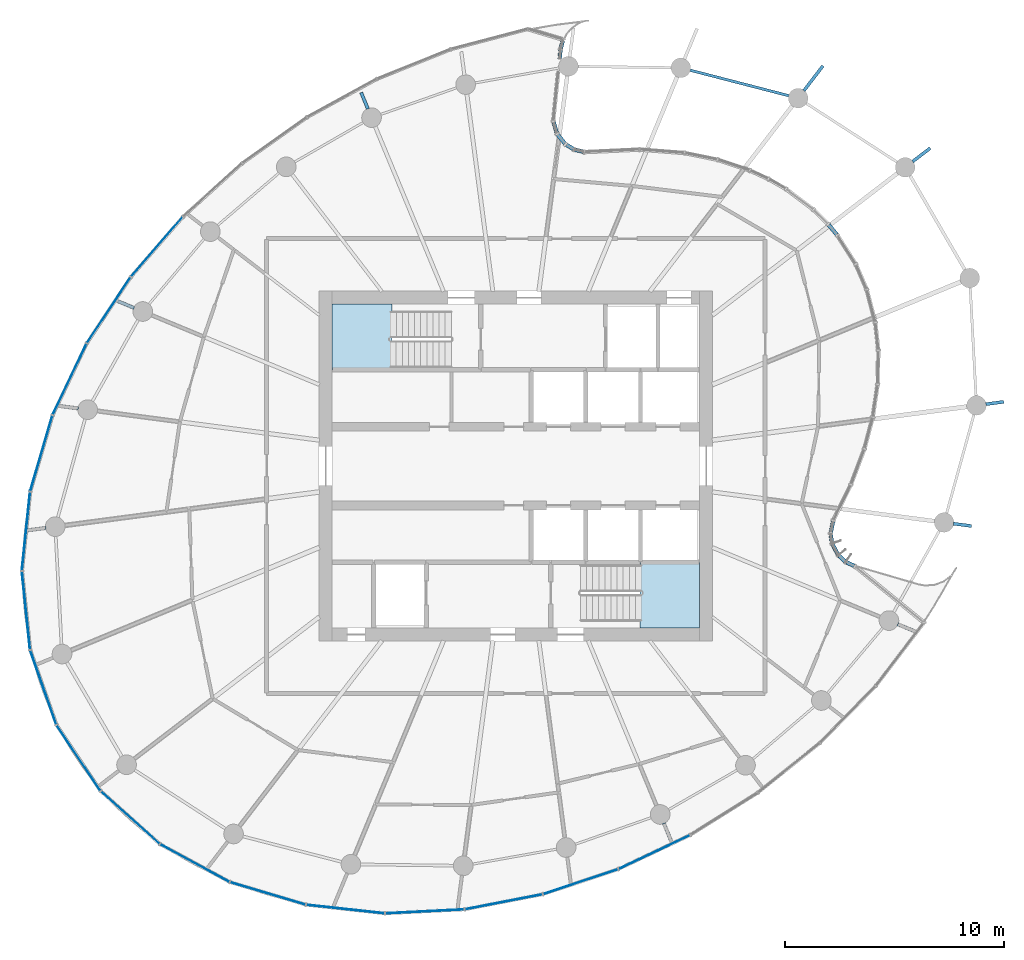
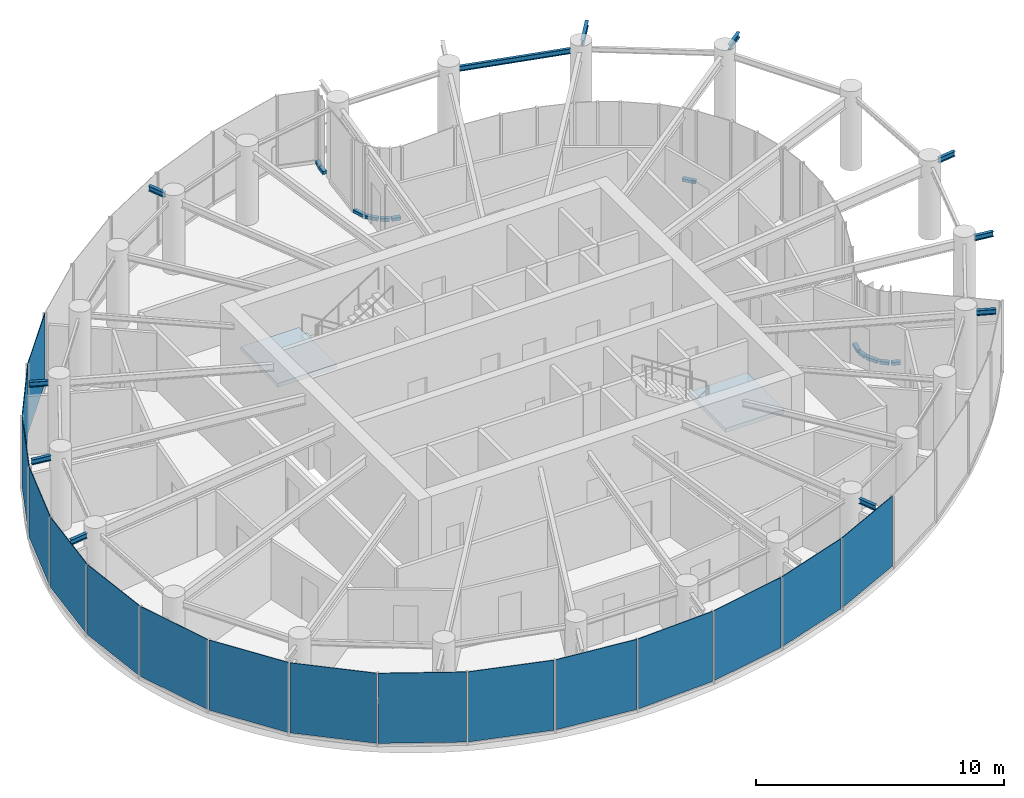
# One storey, part 8 of 17: 16 plates, 12 members, 11 beams, 2 slabs, 9 elements without a shape of their own.
"""IFC4 building model written with IfcOpenShell, lengths in metres."""

from ifc_helpers import new_model, si_unit, direction, frame, origin, origin_2d, place, context, subcontext, project, spatial, line, indexed_curve, rectangle, i_section, outline, extrude, source, transform, mapped, material, layer, layer_set, material_profile, profile_set, type_object, element, aggregate, save


model = new_model("IFC4")

# Units and contexts
model_context = context("Model", 3, precision=1e-05, world=origin(), true_north=direction((0.0, 1.0)))
body_context = subcontext(model_context, "Body", "Model", "MODEL_VIEW")
ifc_project = project(units=[si_unit("LENGTHUNIT", "METRE"), si_unit("AREAUNIT", "SQUARE_METRE"), si_unit("VOLUMEUNIT", "CUBIC_METRE"), si_unit("PLANEANGLEUNIT", "RADIAN"), si_unit("MASSUNIT", "GRAM", prefix="KILO")], contexts=[model_context])

# Site, building, storey
site_placement = place(None, origin())
site = spatial("IfcSite", under=ifc_project, at=site_placement, CompositionType="ELEMENT")
building_placement = place(site_placement, origin())
building = spatial("IfcBuilding", under=site, at=building_placement, Name="Spindrift Exchange Tower", CompositionType="ELEMENT")
storey_placement = place(building_placement, frame((0.0, 0.0, 187.699951171875)))
storey = spatial("IfcBuildingStorey", under=building, at=storey_placement, Name="L45", CompositionType="ELEMENT", Elevation=187.699951171875)

# Beams
ifc_material_1 = material(Name="Steel Grade 300", Category="steel")
ifc_material_profile_1 = material_profile(ifc_material_1, i_section(OverallWidth=0.14599609375, OverallDepth=0.251953125, WebThickness=0.006103515625, FlangeThickness=0.008544921875, FilletRadius=0.011962890625, at=origin_2d()), Name="250UB31.4")
ifc_profile_set_1 = profile_set([ifc_material_profile_1], Name="Steel Grade 300")
beam_type_1 = type_object("IfcBeamType", Name="Cantilever Beam 250UB31.4 Steel Grade 300", PredefinedType="BEAM", material=ifc_profile_set_1)
shared_shape_1 = source(origin(), body_context, "Body", "SweptSolid", [
    extrude(i_section(OverallWidth=0.14599609375, OverallDepth=0.251953125, WebThickness=0.006103515625, FlangeThickness=0.008544921875, FilletRadius=0.011962890625, at=origin_2d()), origin(), (0.0, 0.0, 1.0), 1.013427734375),
])
beam_1_placement = place(storey_placement, frame((70.143310546875, 61.921875, 3.4541015625), z_axis=(0.793330973441, 0.608790576947, 0.0), x_axis=(-0.608790576947, 0.793330973441, 0.0)))
element("IfcBeam", 1, at=beam_1_placement, inside=storey, type_object=beam_type_1, Name="L45 cantilever beam R03T", PredefinedType="BEAM", context=body_context, shape_type="MappedRepresentation", body=[
    mapped(shared_shape_1, transform((0.0, 0.0, 0.0), scale=1.0)),
])
ifc_material_profile_2 = material_profile(ifc_material_1, i_section(OverallWidth=0.1240234375, OverallDepth=0.248046875, WebThickness=0.0048828125, FlangeThickness=0.008056640625, FilletRadius=0.011962890625, at=origin_2d()), Name="250UB25.7")
ifc_profile_set_2 = profile_set([ifc_material_profile_2], Name="Steel Grade 300")
beam_type_2 = type_object("IfcBeamType", Name="Edge Beam 250UB25.7 Steel Grade 300", PredefinedType="SPANDREL", material=ifc_profile_set_2)
shared_shape_2 = source(origin(), body_context, "Body", "SweptSolid", [
    extrude(i_section(OverallWidth=0.1240234375, OverallDepth=0.248046875, WebThickness=0.0048828125, FlangeThickness=0.008056640625, FilletRadius=0.011962890625, at=origin_2d()), origin(), (0.0, 0.0, 1.0), 4.682373046875),
])
beam_2_placement = place(storey_placement, frame((64.492431640625, 64.9306640625, 3.4560546875), z_axis=(-0.968201586176, 0.250171318352, 0.0), x_axis=(-0.250171318352, -0.968201586176, 0.0)))
element("IfcBeam", 2, at=beam_2_placement, inside=storey, type_object=beam_type_2, Name="L45 edge beam E04", PredefinedType="SPANDREL", context=body_context, shape_type="MappedRepresentation", body=[
    mapped(shared_shape_2, transform((0.0, 0.0, 0.0), scale=1.0)),
])
shared_shape_3 = source(origin(), body_context, "Body", "SweptSolid", [
    extrude(i_section(OverallWidth=0.14599609375, OverallDepth=0.251953125, WebThickness=0.006103515625, FlangeThickness=0.008544921875, FilletRadius=0.011962890625, at=origin_2d()), origin(), (0.0, 0.0, 1.0), 0.829345703125),
])
for number, where, z_axis, x_axis, name in (
    (3, (73.488525390625, 50.8291015625, 3.4541015625), (0.991460306265, 0.130408822944, 0.0), (-0.130408822944, 0.991460306265, 0.0), "L45 cantilever beam R01T"),
    (4, (30.511474609375, 45.1708984375, 3.4541015625), (-0.991460306265, -0.130408822944, 0.0), (0.130408822944, -0.991460306265, 0.0), "L45 cantilever beam R13T"),
):
    element("IfcBeam", number, at=place(storey_placement, frame(where, z_axis=z_axis, x_axis=x_axis)), inside=storey, type_object=beam_type_1, Name=name, PredefinedType="BEAM", context=body_context, shape_type="MappedRepresentation", body=[
        mapped(shared_shape_3, transform((0.0, 0.0, 0.0), scale=1.0)),
    ])
shared_shape_4 = source(origin(), body_context, "Body", "SweptSolid", [
    extrude(i_section(OverallWidth=0.14599609375, OverallDepth=0.251953125, WebThickness=0.006103515625, FlangeThickness=0.008544921875, FilletRadius=0.011962890625, at=origin_2d()), origin(), (0.0, 0.0, 1.0), 1.43017578125),
])
beam_3_placement = place(storey_placement, frame((65.170654296875, 65.164306640625, 3.4541015625), z_axis=(0.60878630257, 0.793334253517, 0.0), x_axis=(-0.793334253517, 0.60878630257, 0.0)))
element("IfcBeam", 5, at=beam_3_placement, inside=storey, type_object=beam_type_1, Name="L45 cantilever beam R04T", PredefinedType="BEAM", context=body_context, shape_type="MappedRepresentation", body=[
    mapped(shared_shape_4, transform((0.0, 0.0, 0.0), scale=1.0)),
])
shared_shape_5 = source(origin(), body_context, "Body", "SweptSolid", [
    extrude(i_section(OverallWidth=0.14599609375, OverallDepth=0.251953125, WebThickness=0.006103515625, FlangeThickness=0.008544921875, FilletRadius=0.011962890625, at=origin_2d()), origin(), (0.0, 0.0, 1.0), 0.81201171875),
])
for number, where, z_axis, x_axis, name in (
    (6, (45.236328125, 64.32861328125, 3.4541015625), (-0.382458018363, 0.923972869834, 0.0), (-0.923972869834, -0.382458018363, 0.0), "L45 cantilever beam R08T"),
    (7, (58.763671875, 31.67138671875, 3.4541015625), (0.382458018363, -0.923972869834, 0.0), (0.923972869834, 0.382458018363, 0.0), "L45 cantilever beam R20T"),
):
    element("IfcBeam", number, at=place(storey_placement, frame(where, z_axis=z_axis, x_axis=x_axis)), inside=storey, type_object=beam_type_1, Name=name, PredefinedType="BEAM", context=body_context, shape_type="MappedRepresentation", body=[
        mapped(shared_shape_5, transform((0.0, 0.0, 0.0), scale=1.0)),
    ])
shared_shape_6 = source(origin(), body_context, "Body", "SweptSolid", [
    extrude(i_section(OverallWidth=0.14599609375, OverallDepth=0.251953125, WebThickness=0.006103515625, FlangeThickness=0.008544921875, FilletRadius=0.011962890625, at=origin_2d()), origin(), (0.0, 0.0, 1.0), 0.798583984375),
])
for number, where, z_axis, x_axis, name in (
    (8, (34.543212890625, 55.230712890625, 3.4541015625), (-0.923852875068, 0.382747782788, 0.0), (-0.382747782788, -0.923852875068, 0.0), "L45 cantilever beam R11T"),
    (9, (69.456787109375, 40.769287109375, 3.4541015625), (0.923852875068, -0.382747782788, 0.0), (0.382747782788, 0.923852875068, 0.0), "L45 cantilever beam R23T"),
):
    element("IfcBeam", number, at=place(storey_placement, frame(where, z_axis=z_axis, x_axis=x_axis)), inside=storey, type_object=beam_type_1, Name=name, PredefinedType="BEAM", context=body_context, shape_type="MappedRepresentation", body=[
        mapped(shared_shape_6, transform((0.0, 0.0, 0.0), scale=1.0)),
    ])
shared_shape_7 = source(origin(), body_context, "Body", "SweptSolid", [
    extrude(i_section(OverallWidth=0.14599609375, OverallDepth=0.251953125, WebThickness=0.006103515625, FlangeThickness=0.008544921875, FilletRadius=0.011962890625, at=origin_2d()), origin(), (0.0, 0.0, 1.0), 0.837158203125),
])
for number, where, z_axis, x_axis, name in (
    (10, (31.99267578125, 50.634033203125, 3.4541015625), (-0.991430458958, 0.130635542827, 0.0), (-0.130635542827, -0.991430458958, 0.0), "L45 cantilever beam R12T"),
    (11, (72.00732421875, 45.365966796875, 3.4541015625), (0.991430458958, -0.130635542827, 0.0), (0.130635542827, 0.991430458958, 0.0), "L45 cantilever beam R24T"),
):
    element("IfcBeam", number, at=place(storey_placement, frame(where, z_axis=z_axis, x_axis=x_axis)), inside=storey, type_object=beam_type_1, Name=name, PredefinedType="BEAM", context=body_context, shape_type="MappedRepresentation", body=[
        mapped(shared_shape_7, transform((0.0, 0.0, 0.0), scale=1.0)),
    ])

# Curtain wall, members
ifc_material_2 = material(Name="Fritted laminated glass with bronze frame", Category="glass")
ifc_layer_1 = layer(ifc_material_2, 0.199951171875)
ifc_layer_set_1 = layer_set([ifc_layer_1], Name="SKY GARDEN BRONZE GLAZED WALL")
curtain_wall_type_1 = type_object("IfcCurtainWallType", Name="SKY GARDEN BRONZE GLAZED WALL", PredefinedType="NOTDEFINED", material=ifc_layer_set_1)
curtain_wall_1_placement = place(storey_placement, origin())
curtain_wall_1 = element("IfcCurtainWall", 12, at=curtain_wall_1_placement, inside=storey, type_object=curtain_wall_type_1, Name="L45 Sky Garden Bronze Glazed Wall run 10", PredefinedType="NOTDEFINED")
ifc_material_3 = material(Name="Bronze anodised aluminium", Category="aluminium")
ifc_material_profile_3 = material_profile(ifc_material_3, rectangle(XDim=0.179931640625, YDim=0.14990234375, at=origin_2d()), Name="SKY GARDEN BRONZE GLAZED WALL TRANSOM 180X150")
ifc_profile_set_3 = profile_set([ifc_material_profile_3], Name="Bronze anodised aluminium")
member_type = type_object("IfcMemberType", Name="SKY GARDEN BRONZE GLAZED WALL TRANSOM 180X150", PredefinedType="USERDEFINED", material=ifc_profile_set_3)
shared_shape_8 = source(origin(), body_context, "Body", "SweptSolid", [
    extrude(rectangle(XDim=0.179931640625, YDim=0.14990234375, at=origin_2d()), origin(), (0.0, 0.0, 1.0), 0.526123046875),
])
member_1_placement = place(storey_placement, frame((54.24560546875, 62.745849609375, 0.074951171875), z_axis=(-0.631011751983, 0.775773271555, 0.0), x_axis=(-0.775773271555, -0.631011751983, 0.0)))
member_1 = element("IfcMember", 13, at=member_1_placement, type_object=member_type, Name="L45 transom CW-G.52", ObjectType="TRANSOM", PredefinedType="USERDEFINED", context=body_context, shape_type="MappedRepresentation", body=[
    mapped(shared_shape_8, transform((0.0, 0.0, 0.0), scale=1.0)),
])
member_2_placement = place(storey_placement, frame((53.874755859375, 63.227783203125, 0.074951171875), z_axis=(-0.281638757245, 0.959520510681, 0.0), x_axis=(-0.959520510681, -0.281638757245, 0.0)))
member_2 = element("IfcMember", 14, at=member_2_placement, type_object=member_type, Name="L45 transom CW-G.53", ObjectType="TRANSOM", PredefinedType="USERDEFINED", context=body_context, shape_type="MappedRepresentation", body=[
    mapped(shared_shape_8, transform((0.0, 0.0, 0.0), scale=1.0)),
])

curtain_wall_2_placement = place(storey_placement, origin())
curtain_wall_2 = element("IfcCurtainWall", 15, at=curtain_wall_2_placement, inside=storey, type_object=curtain_wall_type_1, Name="L45 Sky Garden Bronze Glazed Wall run 6", PredefinedType="NOTDEFINED")
shared_shape_9 = source(origin(), body_context, "Body", "SweptSolid", [
    extrude(rectangle(XDim=0.179931640625, YDim=0.14990234375, at=origin_2d()), origin(), (0.0, 0.0, 1.0), 0.377197265625),
])
member_3_placement = place(storey_placement, frame((67.468994140625, 43.438232421875, 0.074951171875), z_axis=(-0.907485185815, 0.420084083876, 0.0), x_axis=(-0.420084083876, -0.907485185815, 0.0)))
member_3 = element("IfcMember", 16, at=member_3_placement, type_object=member_type, Name="L45 transom CW-G.27", ObjectType="TRANSOM", PredefinedType="USERDEFINED", context=body_context, shape_type="MappedRepresentation", body=[
    mapped(shared_shape_9, transform((0.0, 0.0, 0.0), scale=1.0)),
])
shared_shape_10 = source(origin(), body_context, "Body", "SweptSolid", [
    extrude(rectangle(XDim=0.179931640625, YDim=0.14990234375, at=origin_2d()), origin(), (0.0, 0.0, 1.0), 0.374755859375),
])
member_4_placement = place(storey_placement, frame((66.453125, 44.498046875, 0.074951171875), z_axis=(-0.14661951041, 0.989192963565, 0.0), x_axis=(-0.989192963565, -0.14661951041, 0.0)))
member_4 = element("IfcMember", 17, at=member_4_placement, type_object=member_type, Name="L45 transom CW-G.30", ObjectType="TRANSOM", PredefinedType="USERDEFINED", context=body_context, shape_type="MappedRepresentation", body=[
    mapped(shared_shape_10, transform((0.0, 0.0, 0.0), scale=1.0)),
])

# Member
member_5_placement = place(storey_placement, frame((54.630126953125, 62.498046875, 0.074951171875), z_axis=(-0.857377933187, 0.514687361108, 0.0), x_axis=(-0.514687361108, -0.857377933187, 0.0)))
member_5 = element("IfcMember", 18, at=member_5_placement, type_object=member_type, Name="L45 transom CW-G.51", ObjectType="TRANSOM", PredefinedType="USERDEFINED", context=body_context, shape_type="MappedRepresentation", body=[
    mapped(shared_shape_10, transform((0.0, 0.0, 0.0), scale=1.0)),
])

shared_shape_11 = source(origin(), body_context, "Body", "SweptSolid", [
    extrude(rectangle(XDim=0.179931640625, YDim=0.14990234375, at=origin_2d()), origin(), (0.0, 0.0, 1.0), 0.37451171875),
])
member_6_placement = place(storey_placement, frame((67.056396484375, 43.64306640625, 0.074951171875), z_axis=(-0.743585718801, 0.668640620061, 0.0), x_axis=(-0.668640620061, -0.743585718801, 0.0)))
member_6 = element("IfcMember", 19, at=member_6_placement, type_object=member_type, Name="L45 transom CW-G.28", ObjectType="TRANSOM", PredefinedType="USERDEFINED", context=body_context, shape_type="MappedRepresentation", body=[
    mapped(shared_shape_11, transform((0.0, 0.0, 0.0), scale=1.0)),
])

shared_shape_12 = source(origin(), body_context, "Body", "SweptSolid", [
    extrude(rectangle(XDim=0.179931640625, YDim=0.14990234375, at=origin_2d()), origin(), (0.0, 0.0, 1.0), 0.379638671875),
])
member_7_placement = place(storey_placement, frame((55.076416015625, 62.375244140625, 0.074951171875), z_axis=(-0.970968940851, 0.239205593375, 0.0), x_axis=(-0.239205593375, -0.970968940851, 0.0)))
member_7 = element("IfcMember", 20, at=member_7_placement, type_object=member_type, Name="L45 transom CW-G.50", ObjectType="TRANSOM", PredefinedType="USERDEFINED", context=body_context, shape_type="MappedRepresentation", body=[
    mapped(shared_shape_12, transform((0.0, 0.0, 0.0), scale=1.0)),
])

shared_shape_13 = source(origin(), body_context, "Body", "SweptSolid", [
    extrude(rectangle(XDim=0.179931640625, YDim=0.14990234375, at=origin_2d()), origin(), (0.0, 0.0, 1.0), 0.5263671875),
])
member_8_placement = place(storey_placement, frame((66.400390625, 44.952392578125, 0.074951171875), z_axis=(0.198523948811, 0.980096037003, 0.0), x_axis=(-0.980096037003, 0.198523948811, 0.0)))
member_8 = element("IfcMember", 21, at=member_8_placement, type_object=member_type, Name="L45 transom CW-G.31", ObjectType="TRANSOM", PredefinedType="USERDEFINED", context=body_context, shape_type="MappedRepresentation", body=[
    mapped(shared_shape_13, transform((0.0, 0.0, 0.0), scale=1.0)),
])

shared_shape_14 = source(origin(), body_context, "Body", "SweptSolid", [
    extrude(rectangle(XDim=0.179931640625, YDim=0.14990234375, at=origin_2d()), origin(), (0.0, 0.0, 1.0), 0.521484375),
])
member_9_placement = place(storey_placement, frame((66.72607421875, 43.959228515625, 0.074951171875), z_axis=(-0.472870902335, 0.881131720984, 0.0), x_axis=(-0.881131720984, -0.472870902335, 0.0)))
member_9 = element("IfcMember", 22, at=member_9_placement, type_object=member_type, Name="L45 transom CW-G.29", ObjectType="TRANSOM", PredefinedType="USERDEFINED", context=body_context, shape_type="MappedRepresentation", body=[
    mapped(shared_shape_14, transform((0.0, 0.0, 0.0), scale=1.0)),
])

aggregate(curtain_wall_2, [member_3, member_6, member_9, member_4, member_8])

# Curtain wall, member
curtain_wall_3_placement = place(storey_placement, origin())
curtain_wall_3 = element("IfcCurtainWall", 23, at=curtain_wall_3_placement, inside=storey, type_object=curtain_wall_type_1, Name="L45 Sky Garden Bronze Glazed Wall run 8", PredefinedType="NOTDEFINED")
shared_shape_15 = source(origin(), body_context, "Body", "SweptSolid", [
    extrude(rectangle(XDim=0.179931640625, YDim=0.14990234375, at=origin_2d()), origin(), (0.0, 0.0, 1.0), 0.571533203125),
])
member_10_placement = place(storey_placement, frame((66.6748046875, 58.587890625, 0.074951171875), z_axis=(-0.6419892154, 0.766713667095, 0.0), x_axis=(-0.766713667095, -0.6419892154, 0.0)))
member_10 = element("IfcMember", 24, at=member_10_placement, type_object=member_type, Name="L45 transom CW-G.41", ObjectType="TRANSOM", PredefinedType="USERDEFINED", context=body_context, shape_type="MappedRepresentation", body=[
    mapped(shared_shape_15, transform((0.0, 0.0, 0.0), scale=1.0)),
])
aggregate(curtain_wall_3, [member_10])

# Member
shared_shape_16 = source(origin(), body_context, "Body", "SweptSolid", [
    extrude(rectangle(XDim=0.179931640625, YDim=0.14990234375, at=origin_2d()), origin(), (0.0, 0.0, 1.0), 0.404541015625),
])
member_11_placement = place(storey_placement, frame((54.00146484375, 66.61865234375, 0.074951171875), z_axis=(0.100160842296, 0.994971258716, 0.0), x_axis=(-0.994971258716, 0.100160842296, 0.0)))
member_11 = element("IfcMember", 25, at=member_11_placement, type_object=member_type, Name="L45 transom CW-G.54b", ObjectType="TRANSOM", PredefinedType="USERDEFINED", context=body_context, shape_type="MappedRepresentation", body=[
    mapped(shared_shape_16, transform((0.0, 0.0, 0.0), scale=1.0)),
])

shared_shape_17 = source(origin(), body_context, "Body", "SweptSolid", [
    extrude(rectangle(XDim=0.179931640625, YDim=0.14990234375, at=origin_2d()), origin(), (0.0, 0.0, 1.0), 0.3701171875),
])
member_12_placement = place(storey_placement, frame((54.056884765625, 67.104736328125, 0.074951171875), z_axis=(0.254623175379, 0.967040350016, 0.0), x_axis=(-0.967040350016, 0.254623175379, 0.0)))
member_12 = element("IfcMember", 26, at=member_12_placement, type_object=member_type, Name="L45 transom CW-G.55", ObjectType="TRANSOM", PredefinedType="USERDEFINED", context=body_context, shape_type="MappedRepresentation", body=[
    mapped(shared_shape_17, transform((0.0, 0.0, 0.0), scale=1.0)),
])

aggregate(curtain_wall_1, [member_7, member_5, member_1, member_2, member_11, member_12])

# Stair, slab
ifc_material_4 = material(Name="Concrete 50 MPa", Category="concrete")
stair_type = type_object("IfcStairType", Name="ST-1250-R177", PredefinedType="HALF_TURN_STAIR", material=ifc_material_4)
stair_1_placement = place(storey_placement, origin())
stair_1 = element("IfcStair", 27, at=stair_1_placement, inside=storey, type_object=stair_type, Name="L45 Exit stair ST1", PredefinedType="HALF_TURN_STAIR")
ifc_layer_2 = layer(ifc_material_4, 0.199951171875)
ifc_layer_set_2 = layer_set([ifc_layer_2], Name="SL-LANDING")
slab_type = type_object("IfcSlabType", Name="SL-LANDING", PredefinedType="LANDING", material=ifc_layer_set_2)
slab_1_placement = place(storey_placement, frame((0.0, 0.0, 1.75)))
slab_1 = element("IfcSlab", 28, at=slab_1_placement, type_object=slab_type, Name="ST1 landing 1", PredefinedType="LANDING", context=body_context, shape_type="SweptSolid", body=[
    extrude(outline(indexed_curve([(46.330078125, 52.39990234375), (43.60009765625, 52.39990234375), (43.60009765625, 55.39990234375), (46.330078125, 55.39990234375)], segments=[line(1, 2, 3, 4, 1)], self_intersect=False)), origin(), (0.0, 0.0, 1.0), 0.199951171875),
])
aggregate(stair_1, [slab_1])

stair_2_placement = place(storey_placement, origin())
stair_2 = element("IfcStair", 29, at=stair_2_placement, inside=storey, type_object=stair_type, Name="L45 Exit stair ST2", PredefinedType="HALF_TURN_STAIR")
slab_2_placement = place(storey_placement, frame((0.0, 0.0, 1.75)))
slab_2 = element("IfcSlab", 30, at=slab_2_placement, type_object=slab_type, Name="ST2 landing 1", PredefinedType="LANDING", context=body_context, shape_type="SweptSolid", body=[
    extrude(outline(indexed_curve([(57.669921875, 43.60009765625), (60.39990234375, 43.60009765625), (60.39990234375, 40.60009765625), (57.669921875, 40.60009765625)], segments=[line(1, 2, 3, 4, 1)], self_intersect=False)), origin(), (0.0, 0.0, 1.0), 0.199951171875),
])
aggregate(stair_2, [slab_2])

# Curtain wall, plate
ifc_layer_3 = layer(ifc_material_2, 0.169921875)
ifc_layer_set_3 = layer_set([ifc_layer_3], Name="ZONE 4 BRONZE FRITTED WALL")
curtain_wall_type_2 = type_object("IfcCurtainWallType", Name="ZONE 4 BRONZE FRITTED WALL", PredefinedType="NOTDEFINED", material=ifc_layer_set_3)
curtain_wall_4_placement = place(storey_placement, origin())
curtain_wall_4 = element("IfcCurtainWall", 31, at=curtain_wall_4_placement, inside=storey, type_object=curtain_wall_type_2, Name="L45 Zone 4 Bronze Fritted Wall run 1", PredefinedType="NOTDEFINED")
ifc_material_5 = material(Name="Bronze fritted laminated glass, open frit", Category="glass")
ifc_layer_4 = layer(ifc_material_5, 0.030029296875)
ifc_layer_set_4 = layer_set([ifc_layer_4], Name="ZONE 4 BRONZE FRITTED WALL PANEL OPEN FRIT 600")
plate_type_1 = type_object("IfcPlateType", Name="ZONE 4 BRONZE FRITTED WALL PANEL OPEN FRIT 600", PredefinedType="CURTAIN_PANEL", material=ifc_layer_set_4)
shared_shape_18 = source(origin(), body_context, "Body", "SweptSolid", [
    extrude(rectangle(XDim=3.577392578125, YDim=0.030029296875, at=origin_2d()), origin(), (0.0, 0.0, 1.0), 3.455078125),
])
plate_1_placement = place(storey_placement, frame((35.5810546875, 58.0244140625, 0.125), z_axis=(0.0, 0.0, 1.0), x_axis=(-0.65524065223, -0.755420206022, 0.0)))
plate_1 = element("IfcPlate", 32, at=plate_1_placement, type_object=plate_type_1, Name="L45 panel CW-4.6", PredefinedType="CURTAIN_PANEL", context=body_context, shape_type="MappedRepresentation", body=[
    mapped(shared_shape_18, transform((0.0, 0.0, 0.0), scale=1.0)),
])
aggregate(curtain_wall_4, [plate_1])

curtain_wall_5_placement = place(storey_placement, origin())
curtain_wall_5 = element("IfcCurtainWall", 33, at=curtain_wall_5_placement, inside=storey, type_object=curtain_wall_type_2, Name="L45 Zone 4 Bronze Fritted Wall run 4", PredefinedType="NOTDEFINED")
plate_2_placement = place(storey_placement, frame((54.9609375, 28.991943359375, 0.125), z_axis=(0.0, 0.0, 1.0), x_axis=(0.948954762435, 0.315412204667, 0.0)))
plate_2 = element("IfcPlate", 34, at=plate_2_placement, type_object=plate_type_1, Name="L45 panel CW-4.20", PredefinedType="CURTAIN_PANEL", context=body_context, shape_type="MappedRepresentation", body=[
    mapped(shared_shape_18, transform((0.0, 0.0, 0.0), scale=1.0)),
])

# Curtain wall, plates
curtain_wall_6_placement = place(storey_placement, origin())
curtain_wall_6 = element("IfcCurtainWall", 35, at=curtain_wall_6_placement, inside=storey, type_object=curtain_wall_type_2, Name="L45 Zone 4 Bronze Fritted Wall run 2", PredefinedType="NOTDEFINED")
ifc_layer_5 = layer(ifc_material_5, 0.030029296875)
ifc_layer_set_5 = layer_set([ifc_layer_5], Name="ZONE 4 BRONZE FRITTED WALL PANEL OPEN FRIT 360")
plate_type_2 = type_object("IfcPlateType", Name="ZONE 4 BRONZE FRITTED WALL PANEL OPEN FRIT 360", PredefinedType="CURTAIN_PANEL", material=ifc_layer_set_5)
shared_shape_19 = source(origin(), body_context, "Body", "SweptSolid", [
    extrude(rectangle(XDim=3.5771484375, YDim=0.030029296875, at=origin_2d()), origin(), (0.0, 0.0, 1.0), 3.455078125),
])
plate_3_placement = place(storey_placement, frame((33.3818359375, 55.130615234375, 0.125), z_axis=(0.0, 0.0, 1.0), x_axis=(-0.552347342743, -0.833614067158, 0.0)))
plate_3 = element("IfcPlate", 36, at=plate_3_placement, type_object=plate_type_2, Name="L45 panel CW-4.7", PredefinedType="CURTAIN_PANEL", context=body_context, shape_type="MappedRepresentation", body=[
    mapped(shared_shape_19, transform((0.0, 0.0, 0.0), scale=1.0)),
])
ifc_layer_6 = layer(ifc_material_5, 0.030029296875)
ifc_layer_set_6 = layer_set([ifc_layer_6], Name="ZONE 4 BRONZE FRITTED WALL PANEL OPEN FRIT 480")
plate_type_3 = type_object("IfcPlateType", Name="ZONE 4 BRONZE FRITTED WALL PANEL OPEN FRIT 480", PredefinedType="CURTAIN_PANEL", material=ifc_layer_set_6)
shared_shape_20 = source(origin(), body_context, "Body", "SweptSolid", [
    extrude(rectangle(XDim=3.57666015625, YDim=0.030029296875, at=origin_2d()), origin(), (0.0, 0.0, 1.0), 3.455078125),
])
plate_4_placement = place(storey_placement, frame((31.59423828125, 51.968017578125, 0.125), z_axis=(0.0, 0.0, 1.0), x_axis=(-0.429319789169, -0.903152544495, 0.0)))
plate_4 = element("IfcPlate", 37, at=plate_4_placement, type_object=plate_type_3, Name="L45 panel CW-4.8", PredefinedType="CURTAIN_PANEL", context=body_context, shape_type="MappedRepresentation", body=[
    mapped(shared_shape_20, transform((0.0, 0.0, 0.0), scale=1.0)),
])
shared_shape_21 = source(origin(), body_context, "Body", "SweptSolid", [
    extrude(rectangle(XDim=3.57568359375, YDim=0.030029296875, at=origin_2d()), origin(), (0.0, 0.0, 1.0), 3.455078125),
])
plate_5_placement = place(storey_placement, frame((30.300537109375, 48.576904296875, 0.125), z_axis=(0.0, 0.0, 1.0), x_axis=(-0.281247943572, -0.959635135995, 0.0)))
plate_5 = element("IfcPlate", 38, at=plate_5_placement, type_object=plate_type_3, Name="L45 panel CW-4.9", PredefinedType="CURTAIN_PANEL", context=body_context, shape_type="MappedRepresentation", body=[
    mapped(shared_shape_21, transform((0.0, 0.0, 0.0), scale=1.0)),
])
shared_shape_22 = source(origin(), body_context, "Body", "SweptSolid", [
    extrude(rectangle(XDim=3.57421875, YDim=0.030029296875, at=origin_2d()), origin(), (0.0, 0.0, 1.0), 3.455078125),
])
plate_6_placement = place(storey_placement, frame((29.599853515625, 45.020263671875, 0.125), z_axis=(0.0, 0.0, 1.0), x_axis=(-0.103761222716, -0.994602236404, 0.0)))
plate_6 = element("IfcPlate", 39, at=plate_6_placement, type_object=plate_type_1, Name="L45 panel CW-4.10", PredefinedType="CURTAIN_PANEL", context=body_context, shape_type="MappedRepresentation", body=[
    mapped(shared_shape_22, transform((0.0, 0.0, 0.0), scale=1.0)),
])

# Curtain wall, plate
curtain_wall_7_placement = place(storey_placement, origin())
curtain_wall_7 = element("IfcCurtainWall", 40, at=curtain_wall_7_placement, inside=storey, type_object=curtain_wall_type_2, Name="L45 Zone 4 Bronze Fritted Wall run 3", PredefinedType="NOTDEFINED")
plate_7_placement = place(storey_placement, frame((40.6572265625, 28.45556640625, 0.125), z_axis=(0.0, 0.0, 1.0), x_axis=(0.958345009421, -0.285613100045, 0.0)))
plate_7 = element("IfcPlate", 41, at=plate_7_placement, type_object=plate_type_1, Name="L45 panel CW-4.16", PredefinedType="CURTAIN_PANEL", context=body_context, shape_type="MappedRepresentation", body=[
    mapped(shared_shape_22, transform((0.0, 0.0, 0.0), scale=1.0)),
])

# Plate
shared_shape_23 = source(origin(), body_context, "Body", "SweptSolid", [
    extrude(rectangle(XDim=3.572509765625, YDim=0.030029296875, at=origin_2d()), origin(), (0.0, 0.0, 1.0), 3.455078125),
])
plate_8_placement = place(storey_placement, frame((29.599609375, 41.401611328125, 0.125), z_axis=(0.0, 0.0, 1.0), x_axis=(0.103615405298, -0.994617437905, 0.0)))
plate_8 = element("IfcPlate", 42, at=plate_8_placement, type_object=plate_type_1, Name="L45 panel CW-4.11", PredefinedType="CURTAIN_PANEL", context=body_context, shape_type="MappedRepresentation", body=[
    mapped(shared_shape_23, transform((0.0, 0.0, 0.0), scale=1.0)),
])

shared_shape_24 = source(origin(), body_context, "Body", "SweptSolid", [
    extrude(rectangle(XDim=3.57080078125, YDim=0.030029296875, at=origin_2d()), origin(), (0.0, 0.0, 1.0), 3.455078125),
])
plate_9_placement = place(storey_placement, frame((30.390380859375, 37.87744140625, 0.125), z_axis=(0.0, 0.0, 1.0), x_axis=(0.331296719663, -0.943526620473, 0.0)))
plate_9 = element("IfcPlate", 43, at=plate_9_placement, type_object=plate_type_1, Name="L45 panel CW-4.12", PredefinedType="CURTAIN_PANEL", context=body_context, shape_type="MappedRepresentation", body=[
    mapped(shared_shape_24, transform((0.0, 0.0, 0.0), scale=1.0)),
])

aggregate(curtain_wall_6, [plate_3, plate_4, plate_5, plate_6, plate_8, plate_9])

shared_shape_25 = source(origin(), body_context, "Body", "SweptSolid", [
    extrude(rectangle(XDim=3.570068359375, YDim=0.030029296875, at=origin_2d()), origin(), (0.0, 0.0, 1.0), 3.455078125),
])
plate_10_placement = place(storey_placement, frame((32.00146484375, 34.650390625, 0.125), z_axis=(0.0, 0.0, 1.0), x_axis=(0.555176898878, -0.831732295244, 0.0)))
plate_10 = element("IfcPlate", 44, at=plate_10_placement, type_object=plate_type_1, Name="L45 panel CW-4.13", PredefinedType="CURTAIN_PANEL", context=body_context, shape_type="MappedRepresentation", body=[
    mapped(shared_shape_25, transform((0.0, 0.0, 0.0), scale=1.0)),
])

shared_shape_26 = source(origin(), body_context, "Body", "SweptSolid", [
    extrude(rectangle(XDim=3.57080078125, YDim=0.030029296875, at=origin_2d()), origin(), (0.0, 0.0, 1.0), 3.455078125),
])
plate_11_placement = place(storey_placement, frame((34.36376953125, 31.9248046875, 0.125), z_axis=(0.0, 0.0, 1.0), x_axis=(0.744330195344, -0.667811770111, 0.0)))
plate_11 = element("IfcPlate", 45, at=plate_11_placement, type_object=plate_type_3, Name="L45 panel CW-4.14", PredefinedType="CURTAIN_PANEL", context=body_context, shape_type="MappedRepresentation", body=[
    mapped(shared_shape_26, transform((0.0, 0.0, 0.0), scale=1.0)),
])

shared_shape_27 = source(origin(), body_context, "Body", "SweptSolid", [
    extrude(rectangle(XDim=3.572509765625, YDim=0.030029296875, at=origin_2d()), origin(), (0.0, 0.0, 1.0), 3.455078125),
])
plate_12_placement = place(storey_placement, frame((37.315185546875, 29.843017578125, 0.125), z_axis=(0.0, 0.0, 1.0), x_axis=(0.878824607746, -0.477144955774, 0.0)))
plate_12 = element("IfcPlate", 46, at=plate_12_placement, type_object=plate_type_3, Name="L45 panel CW-4.15", PredefinedType="CURTAIN_PANEL", context=body_context, shape_type="MappedRepresentation", body=[
    mapped(shared_shape_27, transform((0.0, 0.0, 0.0), scale=1.0)),
])

shared_shape_28 = source(origin(), body_context, "Body", "SweptSolid", [
    extrude(rectangle(XDim=3.575439453125, YDim=0.030029296875, at=origin_2d()), origin(), (0.0, 0.0, 1.0), 3.455078125),
])
plate_13_placement = place(storey_placement, frame((44.210693359375, 27.73876953125, 0.125), z_axis=(0.0, 0.0, 1.0), x_axis=(0.99412019915, -0.108282176015, 0.0)))
plate_13 = element("IfcPlate", 47, at=plate_13_placement, type_object=plate_type_2, Name="L45 panel CW-4.17", PredefinedType="CURTAIN_PANEL", context=body_context, shape_type="MappedRepresentation", body=[
    mapped(shared_shape_28, transform((0.0, 0.0, 0.0), scale=1.0)),
])

shared_shape_29 = source(origin(), body_context, "Body", "SweptSolid", [
    extrude(rectangle(XDim=3.57666015625, YDim=0.030029296875, at=origin_2d()), origin(), (0.0, 0.0, 1.0), 3.455078125),
])
plate_14_placement = place(storey_placement, frame((47.838623046875, 27.6328125, 0.125), z_axis=(0.0, 0.0, 1.0), x_axis=(0.998744836644, 0.050087436326, 0.0)))
plate_14 = element("IfcPlate", 48, at=plate_14_placement, type_object=plate_type_1, Name="L45 panel CW-4.18", PredefinedType="CURTAIN_PANEL", context=body_context, shape_type="MappedRepresentation", body=[
    mapped(shared_shape_29, transform((0.0, 0.0, 0.0), scale=1.0)),
])

aggregate(curtain_wall_7, [plate_10, plate_11, plate_12, plate_7, plate_13, plate_14])

shared_shape_30 = source(origin(), body_context, "Body", "SweptSolid", [
    extrude(rectangle(XDim=3.5771484375, YDim=0.030029296875, at=origin_2d()), origin(), (0.0, 0.0, 1.0), 3.455078125),
])
plate_15_placement = place(storey_placement, frame((51.445068359375, 28.07080078125, 0.125), z_axis=(0.0, 0.0, 1.0), x_axis=(0.981699379364, 0.190437203708, 0.0)))
plate_15 = element("IfcPlate", 49, at=plate_15_placement, type_object=plate_type_3, Name="L45 panel CW-4.19", PredefinedType="CURTAIN_PANEL", context=body_context, shape_type="MappedRepresentation", body=[
    mapped(shared_shape_30, transform((0.0, 0.0, 0.0), scale=1.0)),
])

shared_shape_31 = source(origin(), body_context, "Body", "SweptSolid", [
    extrude(rectangle(XDim=3.577880859375, YDim=0.030029296875, at=origin_2d()), origin(), (0.0, 0.0, 1.0), 3.455078125),
])
plate_16_placement = place(storey_placement, frame((58.33544921875, 30.34619140625, 0.125), z_axis=(0.0, 0.0, 1.0), x_axis=(0.903766048942, 0.428026785119, 0.0)))
plate_16 = element("IfcPlate", 50, at=plate_16_placement, type_object=plate_type_1, Name="L45 panel CW-4.21", PredefinedType="CURTAIN_PANEL", context=body_context, shape_type="MappedRepresentation", body=[
    mapped(shared_shape_31, transform((0.0, 0.0, 0.0), scale=1.0)),
])

aggregate(curtain_wall_5, [plate_15, plate_2, plate_16])

save(model, "model.ifc")
